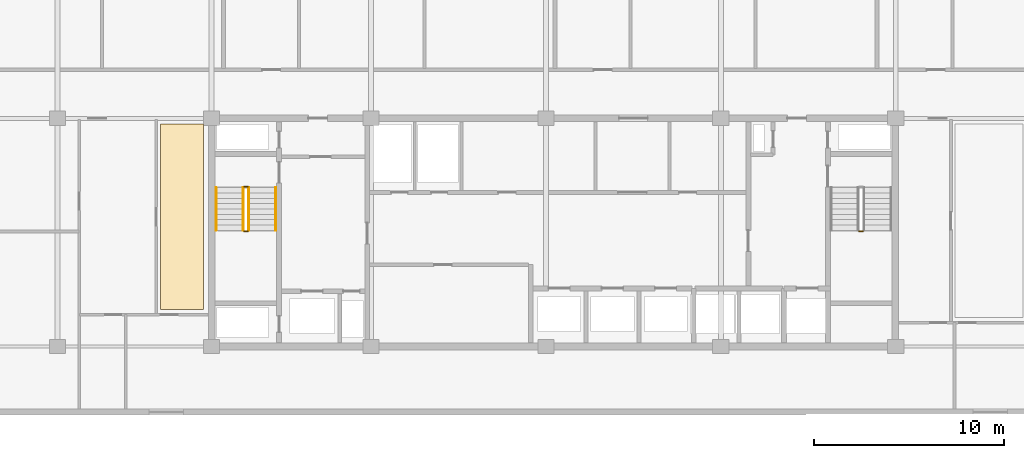
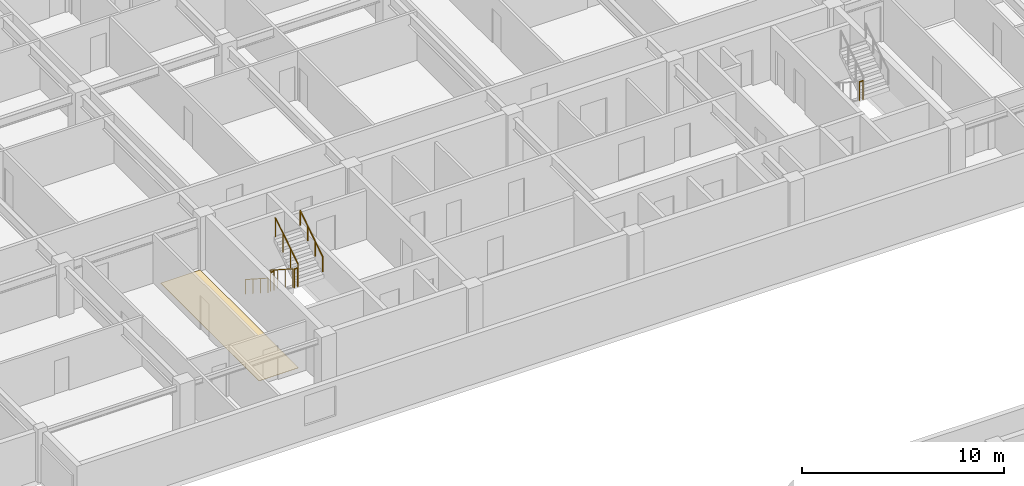
# One storey, part 22 of 24: 7 railings, 1 covering.
"""IFC4 building model written with IfcOpenShell, lengths in metres."""

from ifc_helpers import new_model, si_unit, direction, frame, origin, origin_2d, place, context, subcontext, project, spatial, polyline, circle, outline, extrude, material, layer, layer_set, type_object, element, save


model = new_model("IFC4")

# Units and contexts
model_context = context("Model", 3, precision=1e-05, world=origin(), true_north=direction((0.0, 1.0)))
body_context = subcontext(model_context, "Body", "Model", "MODEL_VIEW")
ifc_project = project(units=[si_unit("LENGTHUNIT", "METRE"), si_unit("AREAUNIT", "SQUARE_METRE"), si_unit("VOLUMEUNIT", "CUBIC_METRE"), si_unit("PLANEANGLEUNIT", "RADIAN"), si_unit("MASSUNIT", "GRAM", prefix="KILO")], contexts=[model_context])

# Site, building, storey
site_placement = place(None, origin())
site = spatial("IfcSite", under=ifc_project, at=site_placement, CompositionType="ELEMENT")
building_placement = place(site_placement, origin())
building = spatial("IfcBuilding", under=site, at=building_placement, Name="Korimba Cascade Residences", CompositionType="ELEMENT")
storey_placement = place(building_placement, frame((0.0, 0.0, 168.60009765625)))
storey = spatial("IfcBuildingStorey", under=building, at=storey_placement, Name="L48", CompositionType="ELEMENT", Elevation=168.60009765625)

# Covering
ifc_material_1 = material(Name="Engineered Spotted-Gum Timber Flooring", Category="wood")
ifc_layer = layer(ifc_material_1, 0.02001953125)
ifc_layer_set = layer_set([ifc_layer], Name="Engineered Spotted-Gum Timber Flooring")
covering_type = type_object("IfcCoveringType", Name="COV-FLR-TIM", PredefinedType="FLOORING", material=ifc_layer_set)
covering_placement = place(storey_placement, origin())
element("IfcCovering", 1, at=covering_placement, inside=storey, type_object=covering_type, Name="L48 Spotted-Gum Timber Flooring L48-T1-FW-L", PredefinedType="FLOORING", context=body_context, shape_type="SweptSolid", body=[
    extrude(outline(polyline([(73.429931640625, 57.139892578125), (75.699951171875, 57.139892578125), (75.699951171875, 66.89990234375), (73.429931640625, 66.89990234375), (73.429931640625, 57.139892578125)])), origin(), (0.0, 0.0, 1.0), 0.02001953125),
])

# Railings
ifc_material_2 = material(Name="Painted Steel Stairwell Guardrail", Category="steel")
railing_type_1 = type_object("IfcRailingType", Name="RLG-ST-GD1150", PredefinedType="GUARDRAIL", material=ifc_material_2)
railing_1_placement = place(storey_placement, frame((77.77001953125, 63.550048828125, 0.180419921875)))
element("IfcRailing", 2, at=railing_1_placement, inside=storey, type_object=railing_type_1, Name="L48 ST-W1 stair guard 1", PredefinedType="GUARDRAIL", context=body_context, shape_type="SweptSolid", body=[
    extrude(circle(Radius=0.02392578125, at=origin_2d()), frame((0.0, 0.0, 1.1259765625), z_axis=(0.0, -0.840394893359, 0.541974559565), x_axis=(1.0, 0.0, 0.0)), (0.0, 0.0, 1.0), 2.665283203125),
    extrude(circle(Radius=0.02099609375, at=origin_2d()), origin(), (0.0, 0.0, 1.0), 1.101806640625),
    extrude(circle(Radius=0.02099609375, at=origin_2d()), frame((0.0, -0.74658203125, 0.4814453125)), (0.0, 0.0, 1.0), 1.101806640625),
    extrude(circle(Radius=0.02099609375, at=origin_2d()), frame((0.0, -1.493408203125, 0.963134765625)), (0.0, 0.0, 1.0), 1.101806640625),
    extrude(circle(Radius=0.02099609375, at=origin_2d()), frame((0.0, -2.239990234375, 1.444580078125)), (0.0, 0.0, 1.0), 1.101806640625),
])
railing_2_placement = place(storey_placement, frame((77.820068359375, 61.260009765625, 1.625)))
element("IfcRailing", 3, at=railing_2_placement, inside=storey, type_object=railing_type_1, Name="L48 ST-W1 stair guard 2", PredefinedType="GUARDRAIL", context=body_context, shape_type="SweptSolid", body=[
    extrude(circle(Radius=0.02392578125, at=origin_2d()), frame((0.0, 0.0, 1.1259765625), z_axis=(1.0, 0.0, 0.0), x_axis=(0.0, 1.0, 0.0)), (0.0, 0.0, 1.0), 0.199951171875),
    extrude(circle(Radius=0.02099609375, at=origin_2d()), origin(), (0.0, 0.0, 1.0), 1.101806640625),
    extrude(circle(Radius=0.02099609375, at=origin_2d()), frame((0.199951171875, 0.0, 0.0)), (0.0, 0.0, 1.0), 1.101806640625),
])
railing_3_placement = place(storey_placement, frame((78.070068359375, 61.31005859375, 1.805419921875)))
element("IfcRailing", 4, at=railing_3_placement, inside=storey, type_object=railing_type_1, Name="L48 ST-W1 stair guard 3", PredefinedType="GUARDRAIL", context=body_context, shape_type="SweptSolid", body=[
    extrude(circle(Radius=0.02392578125, at=origin_2d()), frame((0.0, 0.0, 1.1259765625), z_axis=(0.0, 0.840394893359, 0.541974559565), x_axis=(-1.0, 0.0, 0.0)), (0.0, 0.0, 1.0), 2.665283203125),
    extrude(circle(Radius=0.02099609375, at=origin_2d()), origin(), (0.0, 0.0, 1.0), 1.101806640625),
    extrude(circle(Radius=0.02099609375, at=origin_2d()), frame((0.0, 0.74658203125, 0.4814453125)), (0.0, 0.0, 1.0), 1.101806640625),
    extrude(circle(Radius=0.02099609375, at=origin_2d()), frame((0.0, 1.493408203125, 0.963134765625)), (0.0, 0.0, 1.0), 1.101806640625),
    extrude(circle(Radius=0.02099609375, at=origin_2d()), frame((0.0, 2.239990234375, 1.444580078125)), (0.0, 0.0, 1.0), 1.101806640625),
])
for number, where, name in (
    (5, (77.820068359375, 63.60009765625, 0.0), "L48 ST-W1 stair guard 4"),
    (6, (110.179931640625, 61.260009765625, 1.625), "L48 ST-W2 stair guard 2"),
):
    element("IfcRailing", number, at=place(storey_placement, frame(where)), inside=storey, type_object=railing_type_1, Name=name, PredefinedType="GUARDRAIL", context=body_context, shape_type="SweptSolid", body=[
        extrude(circle(Radius=0.02392578125, at=origin_2d()), frame((0.0, 0.0, 1.1259765625), z_axis=(1.0, 0.0, 0.0), x_axis=(0.0, 1.0, 0.0)), (0.0, 0.0, 1.0), 0.199951171875),
        extrude(circle(Radius=0.02099609375, at=origin_2d()), origin(), (0.0, 0.0, 1.0), 1.101806640625),
        extrude(circle(Radius=0.02099609375, at=origin_2d()), frame((0.199951171875, 0.0, 0.0)), (0.0, 0.0, 1.0), 1.101806640625),
    ])
ifc_material_3 = material(Name="Brushed Stainless Steel Handrail", Category="steel")
railing_type_2 = type_object("IfcRailingType", Name="RLG-ST-HR900", PredefinedType="HANDRAIL", material=ifc_material_3)
railing_4_placement = place(storey_placement, frame((76.35009765625, 63.550048828125, 0.36474609375)))
element("IfcRailing", 7, at=railing_4_placement, inside=storey, type_object=railing_type_2, Name="L48 ST-W1 stair handrail 1", PredefinedType="HANDRAIL", context=body_context, shape_type="SweptSolid", body=[
    extrude(circle(Radius=0.02392578125, at=origin_2d()), frame((0.0, 0.0, 0.8759765625), z_axis=(0.0, -0.840394893359, 0.541974559565), x_axis=(1.0, 0.0, 0.0)), (0.0, 0.0, 1.0), 2.665283203125),
    extrude(circle(Radius=0.02099609375, at=origin_2d()), origin(), (0.0, 0.0, 1.0), 0.851806640625),
    extrude(circle(Radius=0.02099609375, at=origin_2d()), frame((0.0, -0.74658203125, 0.4814453125)), (0.0, 0.0, 1.0), 0.851806640625),
    extrude(circle(Radius=0.02099609375, at=origin_2d()), frame((0.0, -1.493408203125, 0.963134765625)), (0.0, 0.0, 1.0), 0.851806640625),
    extrude(circle(Radius=0.02099609375, at=origin_2d()), frame((0.0, -2.239990234375, 1.444580078125)), (0.0, 0.0, 1.0), 0.851806640625),
])
railing_5_placement = place(storey_placement, frame((79.489990234375, 61.31005859375, 1.98974609375)))
element("IfcRailing", 8, at=railing_5_placement, inside=storey, type_object=railing_type_2, Name="L48 ST-W1 stair handrail 2", PredefinedType="HANDRAIL", context=body_context, shape_type="SweptSolid", body=[
    extrude(circle(Radius=0.02392578125, at=origin_2d()), frame((0.0, 0.0, 0.8759765625), z_axis=(0.0, 0.840394893359, 0.541974559565), x_axis=(-1.0, 0.0, 0.0)), (0.0, 0.0, 1.0), 2.665283203125),
    extrude(circle(Radius=0.02099609375, at=origin_2d()), origin(), (0.0, 0.0, 1.0), 0.851806640625),
    extrude(circle(Radius=0.02099609375, at=origin_2d()), frame((0.0, 0.74658203125, 0.4814453125)), (0.0, 0.0, 1.0), 0.851806640625),
    extrude(circle(Radius=0.02099609375, at=origin_2d()), frame((0.0, 1.493408203125, 0.963134765625)), (0.0, 0.0, 1.0), 0.851806640625),
    extrude(circle(Radius=0.02099609375, at=origin_2d()), frame((0.0, 2.239990234375, 1.444580078125)), (0.0, 0.0, 1.0), 0.851806640625),
])

save(model, "model.ifc")
